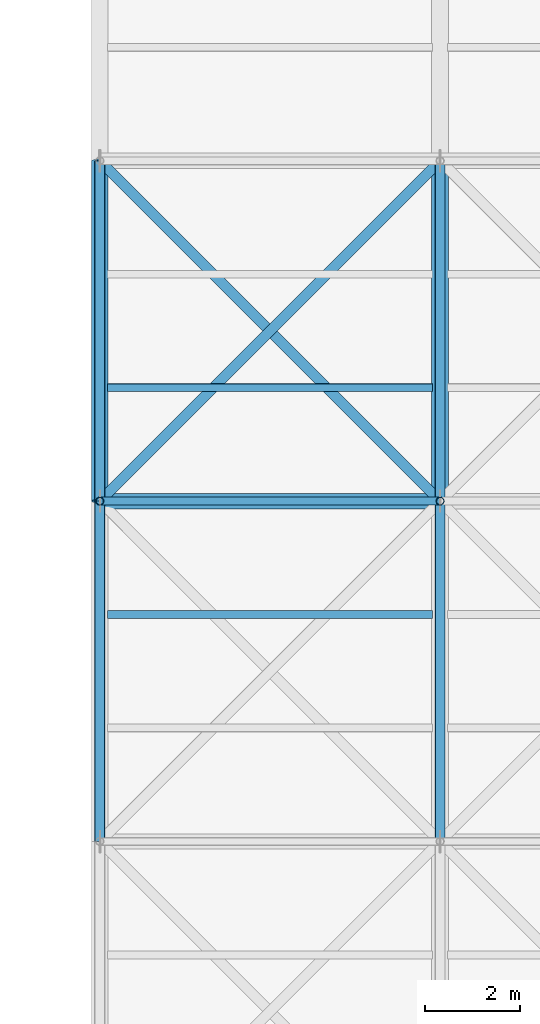
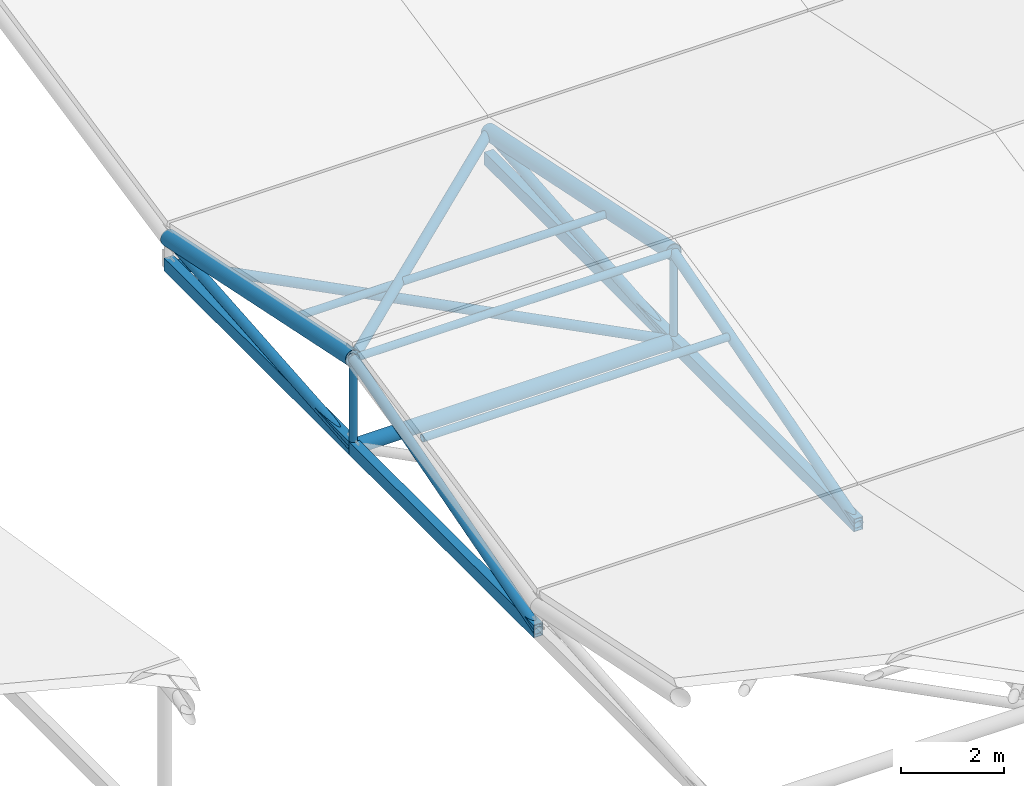
# One storey, part 23 of 72: 12 members, 6 beams.
"""IFC4 building model written with IfcOpenShell, lengths in metres."""

from ifc_helpers import new_model, si_unit, direction, frame, origin, origin_2d, place, context, subcontext, project, spatial, hollow_rectangle, hollow_circle, extrude, material, material_profile, profile_set, type_object, element, save


model = new_model("IFC4")

# Units and contexts
model_context = context("Model", 3, precision=1e-05, world=origin(), true_north=direction((0.0, 1.0)))
body_context = subcontext(model_context, "Body", "Model", "MODEL_VIEW")
ifc_project = project(units=[si_unit("LENGTHUNIT", "METRE"), si_unit("AREAUNIT", "SQUARE_METRE"), si_unit("VOLUMEUNIT", "CUBIC_METRE"), si_unit("PLANEANGLEUNIT", "RADIAN"), si_unit("MASSUNIT", "GRAM", prefix="KILO")], contexts=[model_context])

# Site, building, storey
site_placement = place(None, origin())
site = spatial("IfcSite", under=ifc_project, at=site_placement, CompositionType="ELEMENT")
building_placement = place(site_placement, origin())
building = spatial("IfcBuilding", under=site, at=building_placement, Name="Vaelcorin Mobility Hub", CompositionType="ELEMENT")
storey_placement = place(building_placement, frame((0.0, 0.0, 25.800048828125)))
storey = spatial("IfcBuildingStorey", under=building, at=storey_placement, Name="RF", CompositionType="ELEMENT", Elevation=25.800048828125)

# Members
ifc_material = material(Name="Steel ASTM A500 Grade C", Category="steel")
ifc_material_profile_1 = material_profile(ifc_material, hollow_circle(Radius=0.161865234375, WallThickness=0.0126953125, at=origin_2d()), Name="HSS12.750X0.500")
ifc_profile_set_1 = profile_set([ifc_material_profile_1], Name="Steel ASTM A500 Grade C")
member_type_1 = type_object("IfcMemberType", Name="SF-CHORD-12", PredefinedType="CHORD", material=ifc_profile_set_1)
member_1_placement = place(storey_placement, frame((43.199951171875, 105.60009765625, -2.10009765625), z_axis=(1.0, 0.0, 0.0), x_axis=(0.0, 1.0, 0.0)))
element("IfcMember", 1, at=member_1_placement, inside=storey, type_object=member_type_1, Name="Sports Truss Lower Tie Strut 2-3", PredefinedType="CHORD", context=body_context, shape_type="SweptSolid", body=[
    extrude(hollow_circle(Radius=0.161865234375, WallThickness=0.0126953125, at=origin_2d()), origin(), (0.0, 0.0, 1.0), 7.199951171875),
])
ifc_material_profile_2 = material_profile(ifc_material, hollow_circle(Radius=0.109619140625, WallThickness=0.009521484375, at=origin_2d()), Name="HSS8.625X0.375")
ifc_profile_set_2 = profile_set([ifc_material_profile_2], Name="Steel ASTM A500 Grade C")
member_type_2 = type_object("IfcMemberType", Name="SF-DIAG-8", PredefinedType="BRACE", material=ifc_profile_set_2)
member_2_placement = place(storey_placement, frame((43.199951171875, 105.60009765625, 0.0), z_axis=(0.699556744026, 0.699556744026, -0.145741976715), x_axis=(-0.707106781187, 0.707106781187, 0.0)))
element("IfcMember", 2, at=member_2_placement, inside=storey, type_object=member_type_2, Name="Sports Roof Space-Truss Plan Brace 2-4", PredefinedType="BRACE", context=body_context, shape_type="SweptSolid", body=[
    extrude(hollow_circle(Radius=0.109619140625, WallThickness=0.009521484375, at=origin_2d()), origin(), (0.0, 0.0, 1.0), 10.292236328125),
])
member_3_placement = place(storey_placement, frame((50.39990234375, 105.60009765625, -2.10009765625), z_axis=(-0.707106781187, 0.707106781187, 0.0), x_axis=(-0.707106781187, -0.707106781187, 0.0)))
element("IfcMember", 3, at=member_3_placement, inside=storey, type_object=member_type_2, Name="Sports Truss Lower Plan Brace 2-4", PredefinedType="BRACE", context=body_context, shape_type="SweptSolid", body=[
    extrude(hollow_circle(Radius=0.109619140625, WallThickness=0.009521484375, at=origin_2d()), origin(), (0.0, 0.0, 1.0), 10.182373046875),
])
ifc_material_profile_3 = material_profile(ifc_material, hollow_circle(Radius=0.084228515625, WallThickness=0.0078125, at=origin_2d()), Name="HSS6.625X0.312")
ifc_profile_set_3 = profile_set([ifc_material_profile_3], Name="Steel ASTM A500 Grade C")
member_type_3 = type_object("IfcMemberType", Name="SF-PURL-6", PredefinedType="PURLIN", material=ifc_profile_set_3)
member_4_placement = place(storey_placement, frame((43.199951171875, 105.60009765625, 0.0), z_axis=(1.0, 0.0, 0.0), x_axis=(0.0, 1.0, 0.0)))
element("IfcMember", 4, at=member_4_placement, inside=storey, type_object=member_type_3, Name="Sports Pavilion Roof Purlin 2-3", PredefinedType="PURLIN", context=body_context, shape_type="SweptSolid", body=[
    extrude(hollow_circle(Radius=0.084228515625, WallThickness=0.0078125, at=origin_2d()), origin(), (0.0, 0.0, 1.0), 7.199951171875),
])
for number, where, z_axis, x_axis, name in (
    (5, (43.360107421875, 103.199951171875, -0.5), (1.0, 0.0, 0.0), (0.0, 1.0, 0.0), "Sports Roof Secondary Purlin 2-3-2"),
    (6, (43.360107421875, 108.0, -0.5), (1.0, 0.0, 0.0), (0.0, 1.0, 0.0), "Sports Roof Secondary Purlin 2-4-1"),
):
    element("IfcMember", number, at=place(storey_placement, frame(where, z_axis=z_axis, x_axis=x_axis)), inside=storey, type_object=member_type_3, Name=name, PredefinedType="PURLIN", context=body_context, shape_type="SweptSolid", body=[
        extrude(hollow_circle(Radius=0.084228515625, WallThickness=0.0078125, at=origin_2d()), origin(), (0.0, 0.0, 1.0), 6.8798828125),
    ])

# Beams
ifc_material_profile_4 = material_profile(ifc_material, hollow_circle(Radius=0.177734375, WallThickness=0.0126953125, at=origin_2d()), Name="HSS14.000X0.500")
ifc_profile_set_4 = profile_set([ifc_material_profile_4], Name="Steel ASTM A500 Grade C")
beam_type_1 = type_object("IfcBeamType", Name="TR-CHORD-14", PredefinedType="BEAM", material=ifc_profile_set_4)
for number, where, z_axis, x_axis, name in (
    (7, (43.199951171875, 105.60009765625, 0.0), (0.0, 0.978980143565, -0.203955579738), (-1.0, 0.0, 0.0), "Sports Pavilion Roof Truss Upper Chord 1-4"),
    (8, (50.39990234375, 105.60009765625, 0.0), (0.0, 0.978980143565, -0.203955579738), (-1.0, 0.0, 0.0), "Sports Pavilion Roof Truss Upper Chord 2-4"),
):
    element("IfcBeam", number, at=place(storey_placement, frame(where, z_axis=z_axis, x_axis=x_axis)), inside=storey, type_object=beam_type_1, Name=name, PredefinedType="BEAM", context=body_context, shape_type="SweptSolid", body=[
        extrude(hollow_circle(Radius=0.177734375, WallThickness=0.0126953125, at=origin_2d()), origin(), (0.0, 0.0, 1.0), 7.3544921875),
    ])
ifc_material_profile_5 = material_profile(ifc_material, hollow_rectangle(XDim=0.203125, YDim=0.3046875, WallThickness=0.01171875, at=origin_2d()), Name="HSS12X8X0.500")
ifc_profile_set_5 = profile_set([ifc_material_profile_5], Name="Steel ASTM A500 Grade C")
beam_type_2 = type_object("IfcBeamType", Name="TR-CHORD-RHS12", PredefinedType="BEAM", material=ifc_profile_set_5)
beam_1_placement = place(storey_placement, frame((43.199951171875, 98.39990234375, -2.10009765625), z_axis=(0.0, 1.0, 0.0), x_axis=(-1.0, 0.0, 0.0)))
element("IfcBeam", 9, at=beam_1_placement, inside=storey, type_object=beam_type_2, Name="Sports Pavilion Roof Truss Bottom Chord 1-3", PredefinedType="BEAM", context=body_context, shape_type="SweptSolid", body=[
    extrude(hollow_rectangle(XDim=0.203125, YDim=0.3046875, WallThickness=0.01171875, at=origin_2d()), origin(), (0.0, 0.0, 1.0), 7.2001953125),
])
beam_2_placement = place(storey_placement, frame((43.199951171875, 105.60009765625, -2.10009765625), z_axis=(0.0, 1.0, 0.0), x_axis=(-1.0, 0.0, 0.0)))
element("IfcBeam", 10, at=beam_2_placement, inside=storey, type_object=beam_type_2, Name="Sports Pavilion Roof Truss Bottom Chord 1-4", PredefinedType="BEAM", context=body_context, shape_type="SweptSolid", body=[
    extrude(hollow_rectangle(XDim=0.203125, YDim=0.3046875, WallThickness=0.01171875, at=origin_2d()), origin(), (0.0, 0.0, 1.0), 7.199951171875),
])
beam_3_placement = place(storey_placement, frame((50.39990234375, 98.39990234375, -2.10009765625), z_axis=(0.0, 1.0, 0.0), x_axis=(-1.0, 0.0, 0.0)))
element("IfcBeam", 11, at=beam_3_placement, inside=storey, type_object=beam_type_2, Name="Sports Pavilion Roof Truss Bottom Chord 2-3", PredefinedType="BEAM", context=body_context, shape_type="SweptSolid", body=[
    extrude(hollow_rectangle(XDim=0.203125, YDim=0.3046875, WallThickness=0.01171875, at=origin_2d()), origin(), (0.0, 0.0, 1.0), 7.2001953125),
])
beam_4_placement = place(storey_placement, frame((50.39990234375, 105.60009765625, -2.10009765625), z_axis=(0.0, 1.0, 0.0), x_axis=(-1.0, 0.0, 0.0)))
element("IfcBeam", 12, at=beam_4_placement, inside=storey, type_object=beam_type_2, Name="Sports Pavilion Roof Truss Bottom Chord 2-4", PredefinedType="BEAM", context=body_context, shape_type="SweptSolid", body=[
    extrude(hollow_rectangle(XDim=0.203125, YDim=0.3046875, WallThickness=0.01171875, at=origin_2d()), origin(), (0.0, 0.0, 1.0), 7.199951171875),
])

# Members
ifc_material_profile_6 = material_profile(ifc_material, hollow_circle(Radius=0.084228515625, WallThickness=0.0078125, at=origin_2d()), Name="HSS6.625X0.312")
ifc_profile_set_6 = profile_set([ifc_material_profile_6], Name="Steel ASTM A500 Grade C")
member_type_4 = type_object("IfcMemberType", Name="TR-POST-6", PredefinedType="POST", material=ifc_profile_set_6)
for number, where, z_axis, x_axis, name in (
    (13, (43.199951171875, 105.60009765625, -2.10009765625), (0.0, 0.0, 1.0), (1.0, 0.0, 0.0), "Sports Pavilion Roof Truss Post 1-3"),
    (14, (50.39990234375, 105.60009765625, -2.10009765625), (0.0, 0.0, 1.0), (1.0, 0.0, 0.0), "Sports Pavilion Roof Truss Post 2-3"),
):
    element("IfcMember", number, at=place(storey_placement, frame(where, z_axis=z_axis, x_axis=x_axis)), inside=storey, type_object=member_type_4, Name=name, PredefinedType="POST", context=body_context, shape_type="SweptSolid", body=[
        extrude(hollow_circle(Radius=0.084228515625, WallThickness=0.0078125, at=origin_2d()), origin(), (0.0, 0.0, 1.0), 2.10009765625),
    ])
ifc_material_profile_7 = material_profile(ifc_material, hollow_circle(Radius=0.109619140625, WallThickness=0.009521484375, at=origin_2d()), Name="HSS8.625X0.375")
ifc_profile_set_7 = profile_set([ifc_material_profile_7], Name="Steel ASTM A500 Grade C")
member_type_5 = type_object("IfcMemberType", Name="TR-WEB-8", PredefinedType="BRACE", material=ifc_profile_set_7)
member_5_placement = place(storey_placement, frame((43.199951171875, 98.39990234375, -2.10009765625), z_axis=(0.0, 0.959998541695, 0.280004999853), x_axis=(-1.0, 0.0, 0.0)))
element("IfcMember", 15, at=member_5_placement, inside=storey, type_object=member_type_5, Name="Sports Pavilion Roof Truss Diagonal 1-3", PredefinedType="BRACE", context=body_context, shape_type="SweptSolid", body=[
    extrude(hollow_circle(Radius=0.109619140625, WallThickness=0.009521484375, at=origin_2d()), origin(), (0.0, 0.0, 1.0), 7.500244140625),
])
member_6_placement = place(storey_placement, frame((43.199951171875, 105.60009765625, -2.10009765625), z_axis=(0.0, 0.996544592923, 0.083059462528), x_axis=(-1.0, 0.0, 0.0)))
element("IfcMember", 16, at=member_6_placement, inside=storey, type_object=member_type_5, Name="Sports Pavilion Roof Truss Diagonal 1-4", PredefinedType="BRACE", context=body_context, shape_type="SweptSolid", body=[
    extrude(hollow_circle(Radius=0.109619140625, WallThickness=0.009521484375, at=origin_2d()), origin(), (0.0, 0.0, 1.0), 7.224853515625),
])
member_7_placement = place(storey_placement, frame((50.39990234375, 98.39990234375, -2.10009765625), z_axis=(0.0, 0.959998541695, 0.280004999853), x_axis=(-1.0, 0.0, 0.0)))
element("IfcMember", 17, at=member_7_placement, inside=storey, type_object=member_type_5, Name="Sports Pavilion Roof Truss Diagonal 2-3", PredefinedType="BRACE", context=body_context, shape_type="SweptSolid", body=[
    extrude(hollow_circle(Radius=0.109619140625, WallThickness=0.009521484375, at=origin_2d()), origin(), (0.0, 0.0, 1.0), 7.500244140625),
])
member_8_placement = place(storey_placement, frame((50.39990234375, 105.60009765625, -2.10009765625), z_axis=(0.0, 0.996544592923, 0.083059462528), x_axis=(-1.0, 0.0, 0.0)))
element("IfcMember", 18, at=member_8_placement, inside=storey, type_object=member_type_5, Name="Sports Pavilion Roof Truss Diagonal 2-4", PredefinedType="BRACE", context=body_context, shape_type="SweptSolid", body=[
    extrude(hollow_circle(Radius=0.109619140625, WallThickness=0.009521484375, at=origin_2d()), origin(), (0.0, 0.0, 1.0), 7.224853515625),
])

save(model, "model.ifc")
